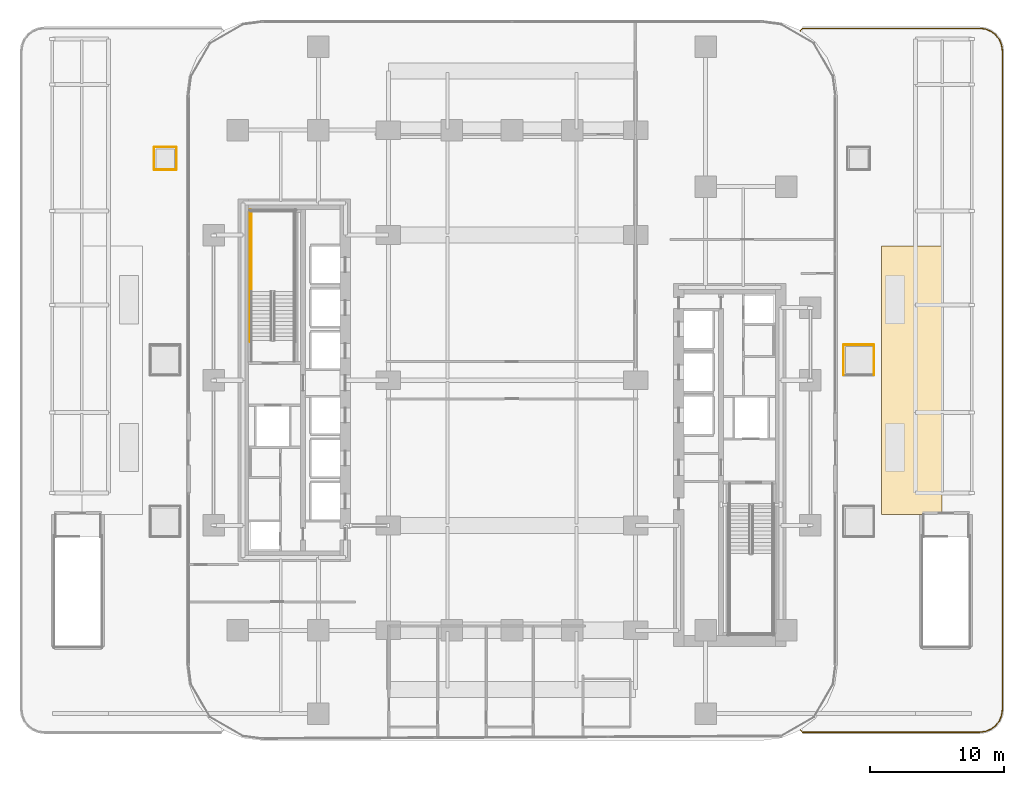
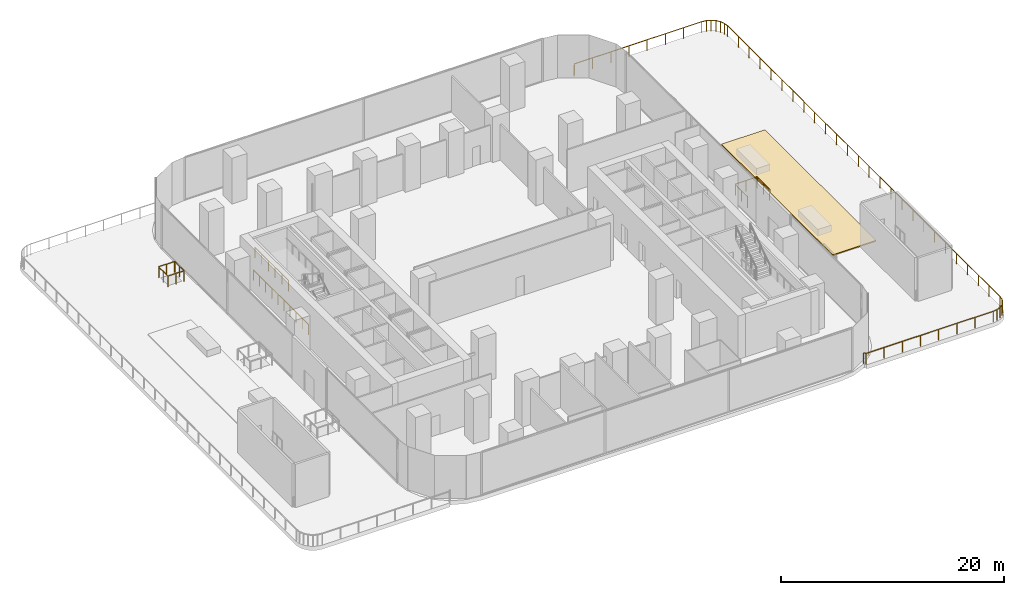
# One storey, part 19 of 21: 10 railings, 1 covering.
"""IFC4 building model written with IfcOpenShell, lengths in metres."""

from ifc_helpers import new_model, si_unit, direction, frame, origin, origin_2d, place, context, subcontext, project, spatial, polyline, circle, outline, extrude, material, layer, layer_set, type_object, element, save


model = new_model("IFC4")

# Units and contexts
model_context = context("Model", 3, precision=1e-05, world=origin(), true_north=direction((0.0, 1.0)))
body_context = subcontext(model_context, "Body", "Model", "MODEL_VIEW")
ifc_project = project(units=[si_unit("LENGTHUNIT", "METRE"), si_unit("AREAUNIT", "SQUARE_METRE"), si_unit("VOLUMEUNIT", "CUBIC_METRE"), si_unit("PLANEANGLEUNIT", "RADIAN"), si_unit("MASSUNIT", "GRAM", prefix="KILO")], contexts=[model_context])

# Site, building, storey
site_placement = place(None, origin())
site = spatial("IfcSite", under=ifc_project, at=site_placement, CompositionType="ELEMENT")
building_placement = place(site_placement, origin())
building = spatial("IfcBuilding", under=site, at=building_placement, Name="Khairoan Windgate Tower", CompositionType="ELEMENT")
storey_placement = place(building_placement, frame((0.0, 0.0, 21.0)))
storey = spatial("IfcBuildingStorey", under=building, at=storey_placement, Name="L05", CompositionType="ELEMENT", Elevation=21.0)

# Railings
ifc_material_1 = material(Name="Anodised Bronze Aluminium 6063-T6", Category="aluminium")
railing_type_1 = type_object("IfcRailingType", Name="Aerodynamic Bronze-and-Glass Balustrade BAL-1200", PredefinedType="BALUSTRADE", material=ifc_material_1)
railing_1_placement = place(storey_placement, frame((21.462890625, -26.00146484375, 0.0)))
element("IfcRailing", 1, at=railing_1_placement, inside=storey, type_object=railing_type_1, Name="East Podium Terrace Perimeter Balustrade", PredefinedType="BALUSTRADE", context=body_context, shape_type="SweptSolid", body=[
    extrude(circle(Radius=0.02392578125, at=origin_2d()), frame((0.0, 0.0, 1.17578125), z_axis=(0.60950109224, -0.792785228519, 0.0), x_axis=(0.792785228519, 0.60950109224, 0.0)), (0.0, 0.0, 1.0), 0.22509765625),
    extrude(circle(Radius=0.02392578125, at=origin_2d()), frame((0.13720703125, -0.178466796875, 1.17578125), z_axis=(1.0, 0.0, 0.0), x_axis=(0.0, 1.0, 0.0)), (0.0, 0.0, 1.0), 13.19189453125),
    extrude(circle(Radius=0.02392578125, at=origin_2d()), frame((13.3291015625, -0.178466796875, 1.17578125), z_axis=(0.991493340479, 0.130157426935, 0.0), x_axis=(-0.130157426935, 0.991493340479, 0.0)), (0.0, 0.0, 1.0), 0.446533203125),
    extrude(circle(Radius=0.02392578125, at=origin_2d()), frame((13.771728515625, -0.120361328125, 1.17578125), z_axis=(0.923833445056, 0.38279467838, 0.0), x_axis=(-0.38279467838, 0.923833445056, 0.0)), (0.0, 0.0, 1.0), 0.438232421875),
    extrude(circle(Radius=0.02392578125, at=origin_2d()), frame((14.176513671875, 0.04736328125, 1.17578125), z_axis=(0.793471909642, 0.608606875256, 0.0), x_axis=(-0.608606875256, 0.793471909642, 0.0)), (0.0, 0.0, 1.0), 0.4384765625),
    extrude(circle(Radius=0.02392578125, at=origin_2d()), frame((14.5244140625, 0.314208984375, 1.17578125), z_axis=(0.6085251306, 0.79353460254, 0.0), x_axis=(-0.79353460254, 0.6085251306, 0.0)), (0.0, 0.0, 1.0), 0.438232421875),
    extrude(circle(Radius=0.02392578125, at=origin_2d()), frame((14.791015625, 0.661865234375, 1.17578125), z_axis=(0.383072962241, 0.92371808773, 0.0), x_axis=(-0.92371808773, 0.383072962241, 0.0)), (0.0, 0.0, 1.0), 0.4384765625),
    extrude(circle(Radius=0.02392578125, at=origin_2d()), frame((14.958984375, 1.06689453125, 1.17578125), z_axis=(0.130228039872, 0.991484068269, 0.0), x_axis=(-0.991484068269, 0.130228039872, 0.0)), (0.0, 0.0, 1.0), 0.4462890625),
    extrude(circle(Radius=0.02392578125, at=origin_2d()), frame((15.01708984375, 1.50927734375, 1.17578125), z_axis=(0.0, 1.0, 0.0), x_axis=(-1.0, 0.0, 0.0)), (0.0, 0.0, 1.0), 48.984375),
    extrude(circle(Radius=0.02392578125, at=origin_2d()), frame((15.01708984375, 50.49365234375, 1.17578125), z_axis=(-0.130228039872, 0.991484068269, 0.0), x_axis=(-0.991484068269, -0.130228039872, 0.0)), (0.0, 0.0, 1.0), 0.4462890625),
    extrude(circle(Radius=0.02392578125, at=origin_2d()), frame((14.958984375, 50.93603515625, 1.17578125), z_axis=(-0.383072962241, 0.92371808773, 0.0), x_axis=(-0.92371808773, -0.383072962241, 0.0)), (0.0, 0.0, 1.0), 0.4384765625),
    extrude(circle(Radius=0.02392578125, at=origin_2d()), frame((14.791015625, 51.341064453125, 1.17578125), z_axis=(-0.6085251306, 0.79353460254, 0.0), x_axis=(-0.79353460254, -0.6085251306, 0.0)), (0.0, 0.0, 1.0), 0.438232421875),
    extrude(circle(Radius=0.02392578125, at=origin_2d()), frame((14.5244140625, 51.688720703125, 1.17578125), z_axis=(-0.793471909642, 0.608606875256, 0.0), x_axis=(-0.608606875256, -0.793471909642, 0.0)), (0.0, 0.0, 1.0), 0.4384765625),
    extrude(circle(Radius=0.02392578125, at=origin_2d()), frame((14.176513671875, 51.95556640625, 1.17578125), z_axis=(-0.923833445056, 0.38279467838, 0.0), x_axis=(-0.38279467838, -0.923833445056, 0.0)), (0.0, 0.0, 1.0), 0.438232421875),
    extrude(circle(Radius=0.02392578125, at=origin_2d()), frame((13.771728515625, 52.123291015625, 1.17578125), z_axis=(-0.991493340479, 0.130157426935, 0.0), x_axis=(-0.130157426935, -0.991493340479, 0.0)), (0.0, 0.0, 1.0), 0.446533203125),
    extrude(circle(Radius=0.02392578125, at=origin_2d()), frame((13.3291015625, 52.181396484375, 1.17578125), z_axis=(-1.0, 0.0, 0.0), x_axis=(0.0, -1.0, 0.0)), (0.0, 0.0, 1.0), 13.19189453125),
    extrude(circle(Radius=0.02392578125, at=origin_2d()), frame((0.13720703125, 52.181396484375, 1.17578125), z_axis=(-0.60950109224, -0.792785228519, 0.0), x_axis=(0.792785228519, -0.60950109224, 0.0)), (0.0, 0.0, 1.0), 0.22509765625),
    extrude(circle(Radius=0.02099609375, at=origin_2d()), origin(), (0.0, 0.0, 1.0), 1.15185546875),
    extrude(circle(Radius=0.02099609375, at=origin_2d()), frame((0.13720703125, -0.178466796875, 0.0)), (0.0, 0.0, 1.0), 1.15185546875),
    extrude(circle(Radius=0.02099609375, at=origin_2d()), frame((2.021728515625, -0.178466796875, 0.0)), (0.0, 0.0, 1.0), 1.15185546875),
    extrude(circle(Radius=0.02099609375, at=origin_2d()), frame((3.90625, -0.178466796875, 0.0)), (0.0, 0.0, 1.0), 1.15185546875),
    extrude(circle(Radius=0.02099609375, at=origin_2d()), frame((5.790771484375, -0.178466796875, 0.0)), (0.0, 0.0, 1.0), 1.15185546875),
    extrude(circle(Radius=0.02099609375, at=origin_2d()), frame((7.675537109375, -0.178466796875, 0.0)), (0.0, 0.0, 1.0), 1.15185546875),
    extrude(circle(Radius=0.02099609375, at=origin_2d()), frame((9.56005859375, -0.178466796875, 0.0)), (0.0, 0.0, 1.0), 1.15185546875),
    extrude(circle(Radius=0.02099609375, at=origin_2d()), frame((11.444580078125, -0.178466796875, 0.0)), (0.0, 0.0, 1.0), 1.15185546875),
    extrude(circle(Radius=0.02099609375, at=origin_2d()), frame((13.3291015625, -0.178466796875, 0.0)), (0.0, 0.0, 1.0), 1.15185546875),
    extrude(circle(Radius=0.02099609375, at=origin_2d()), frame((13.771728515625, -0.120361328125, 0.0)), (0.0, 0.0, 1.0), 1.15185546875),
    extrude(circle(Radius=0.02099609375, at=origin_2d()), frame((14.176513671875, 0.04736328125, 0.0)), (0.0, 0.0, 1.0), 1.15185546875),
    extrude(circle(Radius=0.02099609375, at=origin_2d()), frame((14.5244140625, 0.314208984375, 0.0)), (0.0, 0.0, 1.0), 1.15185546875),
    extrude(circle(Radius=0.02099609375, at=origin_2d()), frame((14.791015625, 0.661865234375, 0.0)), (0.0, 0.0, 1.0), 1.15185546875),
    extrude(circle(Radius=0.02099609375, at=origin_2d()), frame((14.958984375, 1.06689453125, 0.0)), (0.0, 0.0, 1.0), 1.15185546875),
    extrude(circle(Radius=0.02099609375, at=origin_2d()), frame((15.01708984375, 1.50927734375, 0.0)), (0.0, 0.0, 1.0), 1.15185546875),
    extrude(circle(Radius=0.02099609375, at=origin_2d()), frame((15.01708984375, 3.46875, 0.0)), (0.0, 0.0, 1.0), 1.15185546875),
    extrude(circle(Radius=0.02099609375, at=origin_2d()), frame((15.01708984375, 5.427978515625, 0.0)), (0.0, 0.0, 1.0), 1.15185546875),
    extrude(circle(Radius=0.02099609375, at=origin_2d()), frame((15.01708984375, 7.387451171875, 0.0)), (0.0, 0.0, 1.0), 1.15185546875),
    extrude(circle(Radius=0.02099609375, at=origin_2d()), frame((15.01708984375, 9.3466796875, 0.0)), (0.0, 0.0, 1.0), 1.15185546875),
    extrude(circle(Radius=0.02099609375, at=origin_2d()), frame((15.01708984375, 11.30615234375, 0.0)), (0.0, 0.0, 1.0), 1.15185546875),
    extrude(circle(Radius=0.02099609375, at=origin_2d()), frame((15.01708984375, 13.265625, 0.0)), (0.0, 0.0, 1.0), 1.15185546875),
    extrude(circle(Radius=0.02099609375, at=origin_2d()), frame((15.01708984375, 15.224853515625, 0.0)), (0.0, 0.0, 1.0), 1.15185546875),
    extrude(circle(Radius=0.02099609375, at=origin_2d()), frame((15.01708984375, 17.184326171875, 0.0)), (0.0, 0.0, 1.0), 1.15185546875),
    extrude(circle(Radius=0.02099609375, at=origin_2d()), frame((15.01708984375, 19.1435546875, 0.0)), (0.0, 0.0, 1.0), 1.15185546875),
    extrude(circle(Radius=0.02099609375, at=origin_2d()), frame((15.01708984375, 21.10302734375, 0.0)), (0.0, 0.0, 1.0), 1.15185546875),
    extrude(circle(Radius=0.02099609375, at=origin_2d()), frame((15.01708984375, 23.0625, 0.0)), (0.0, 0.0, 1.0), 1.15185546875),
    extrude(circle(Radius=0.02099609375, at=origin_2d()), frame((15.01708984375, 25.021728515625, 0.0)), (0.0, 0.0, 1.0), 1.15185546875),
    extrude(circle(Radius=0.02099609375, at=origin_2d()), frame((15.01708984375, 26.981201171875, 0.0)), (0.0, 0.0, 1.0), 1.15185546875),
    extrude(circle(Radius=0.02099609375, at=origin_2d()), frame((15.01708984375, 28.9404296875, 0.0)), (0.0, 0.0, 1.0), 1.15185546875),
    extrude(circle(Radius=0.02099609375, at=origin_2d()), frame((15.01708984375, 30.89990234375, 0.0)), (0.0, 0.0, 1.0), 1.15185546875),
    extrude(circle(Radius=0.02099609375, at=origin_2d()), frame((15.01708984375, 32.859375, 0.0)), (0.0, 0.0, 1.0), 1.15185546875),
    extrude(circle(Radius=0.02099609375, at=origin_2d()), frame((15.01708984375, 34.818603515625, 0.0)), (0.0, 0.0, 1.0), 1.15185546875),
    extrude(circle(Radius=0.02099609375, at=origin_2d()), frame((15.01708984375, 36.778076171875, 0.0)), (0.0, 0.0, 1.0), 1.15185546875),
    extrude(circle(Radius=0.02099609375, at=origin_2d()), frame((15.01708984375, 38.7373046875, 0.0)), (0.0, 0.0, 1.0), 1.15185546875),
    extrude(circle(Radius=0.02099609375, at=origin_2d()), frame((15.01708984375, 40.69677734375, 0.0)), (0.0, 0.0, 1.0), 1.15185546875),
    extrude(circle(Radius=0.02099609375, at=origin_2d()), frame((15.01708984375, 42.65625, 0.0)), (0.0, 0.0, 1.0), 1.15185546875),
    extrude(circle(Radius=0.02099609375, at=origin_2d()), frame((15.01708984375, 44.615478515625, 0.0)), (0.0, 0.0, 1.0), 1.15185546875),
    extrude(circle(Radius=0.02099609375, at=origin_2d()), frame((15.01708984375, 46.574951171875, 0.0)), (0.0, 0.0, 1.0), 1.15185546875),
    extrude(circle(Radius=0.02099609375, at=origin_2d()), frame((15.01708984375, 48.5341796875, 0.0)), (0.0, 0.0, 1.0), 1.15185546875),
    extrude(circle(Radius=0.02099609375, at=origin_2d()), frame((15.01708984375, 50.49365234375, 0.0)), (0.0, 0.0, 1.0), 1.15185546875),
    extrude(circle(Radius=0.02099609375, at=origin_2d()), frame((14.958984375, 50.93603515625, 0.0)), (0.0, 0.0, 1.0), 1.15185546875),
    extrude(circle(Radius=0.02099609375, at=origin_2d()), frame((14.791015625, 51.341064453125, 0.0)), (0.0, 0.0, 1.0), 1.15185546875),
    extrude(circle(Radius=0.02099609375, at=origin_2d()), frame((14.5244140625, 51.688720703125, 0.0)), (0.0, 0.0, 1.0), 1.15185546875),
    extrude(circle(Radius=0.02099609375, at=origin_2d()), frame((14.176513671875, 51.95556640625, 0.0)), (0.0, 0.0, 1.0), 1.15185546875),
    extrude(circle(Radius=0.02099609375, at=origin_2d()), frame((13.771728515625, 52.123291015625, 0.0)), (0.0, 0.0, 1.0), 1.15185546875),
    extrude(circle(Radius=0.02099609375, at=origin_2d()), frame((13.3291015625, 52.181396484375, 0.0)), (0.0, 0.0, 1.0), 1.15185546875),
    extrude(circle(Radius=0.02099609375, at=origin_2d()), frame((11.444580078125, 52.181396484375, 0.0)), (0.0, 0.0, 1.0), 1.15185546875),
    extrude(circle(Radius=0.02099609375, at=origin_2d()), frame((9.56005859375, 52.181396484375, 0.0)), (0.0, 0.0, 1.0), 1.15185546875),
    extrude(circle(Radius=0.02099609375, at=origin_2d()), frame((7.675537109375, 52.181396484375, 0.0)), (0.0, 0.0, 1.0), 1.15185546875),
    extrude(circle(Radius=0.02099609375, at=origin_2d()), frame((5.790771484375, 52.181396484375, 0.0)), (0.0, 0.0, 1.0), 1.15185546875),
    extrude(circle(Radius=0.02099609375, at=origin_2d()), frame((3.90625, 52.181396484375, 0.0)), (0.0, 0.0, 1.0), 1.15185546875),
    extrude(circle(Radius=0.02099609375, at=origin_2d()), frame((2.021728515625, 52.181396484375, 0.0)), (0.0, 0.0, 1.0), 1.15185546875),
    extrude(circle(Radius=0.02099609375, at=origin_2d()), frame((0.13720703125, 52.181396484375, 0.0)), (0.0, 0.0, 1.0), 1.15185546875),
    extrude(circle(Radius=0.02099609375, at=origin_2d()), frame((0.0, 52.0029296875, 0.0)), (0.0, 0.0, 1.0), 1.15185546875),
])
railing_2_placement = place(storey_placement, frame((-26.610107421875, 15.659912109375, 0.0)))
element("IfcRailing", 2, at=railing_2_placement, inside=storey, type_object=railing_type_1, Name="Podium Skylight 03 Guardrail 1", PredefinedType="BALUSTRADE", context=body_context, shape_type="SweptSolid", body=[
    extrude(circle(Radius=0.02392578125, at=origin_2d()), frame((0.0, 0.0, 1.17578125), z_axis=(1.0, 0.0, 0.0), x_axis=(0.0, 1.0, 0.0)), (0.0, 0.0, 1.0), 1.6201171875),
    extrude(circle(Radius=0.02099609375, at=origin_2d()), origin(), (0.0, 0.0, 1.0), 1.15185546875),
    extrude(circle(Radius=0.02099609375, at=origin_2d()), frame((0.81005859375, 0.0, 0.0)), (0.0, 0.0, 1.0), 1.15185546875),
    extrude(circle(Radius=0.02099609375, at=origin_2d()), frame((1.6201171875, 0.0, 0.0)), (0.0, 0.0, 1.0), 1.15185546875),
])
railing_3_placement = place(storey_placement, frame((-24.9599609375, 15.68994140625, 0.0)))
element("IfcRailing", 3, at=railing_3_placement, inside=storey, type_object=railing_type_1, Name="Podium Skylight 03 Guardrail 2", PredefinedType="BALUSTRADE", context=body_context, shape_type="SweptSolid", body=[
    extrude(circle(Radius=0.02392578125, at=origin_2d()), frame((0.0, 0.0, 1.17578125), z_axis=(0.0, 1.0, 0.0), x_axis=(-1.0, 0.0, 0.0)), (0.0, 0.0, 1.0), 1.6201171875),
    extrude(circle(Radius=0.02099609375, at=origin_2d()), origin(), (0.0, 0.0, 1.0), 1.15185546875),
    extrude(circle(Radius=0.02099609375, at=origin_2d()), frame((0.0, 0.81005859375, 0.0)), (0.0, 0.0, 1.0), 1.15185546875),
    extrude(circle(Radius=0.02099609375, at=origin_2d()), frame((0.0, 1.6201171875, 0.0)), (0.0, 0.0, 1.0), 1.15185546875),
])
railing_4_placement = place(storey_placement, frame((-24.989990234375, 17.340087890625, 0.0)))
element("IfcRailing", 4, at=railing_4_placement, inside=storey, type_object=railing_type_1, Name="Podium Skylight 03 Guardrail 3", PredefinedType="BALUSTRADE", context=body_context, shape_type="SweptSolid", body=[
    extrude(circle(Radius=0.02392578125, at=origin_2d()), frame((0.0, 0.0, 1.17578125), z_axis=(-1.0, 0.0, 0.0), x_axis=(0.0, -1.0, 0.0)), (0.0, 0.0, 1.0), 1.6201171875),
    extrude(circle(Radius=0.02099609375, at=origin_2d()), origin(), (0.0, 0.0, 1.0), 1.15185546875),
    extrude(circle(Radius=0.02099609375, at=origin_2d()), frame((-0.81005859375, 0.0, 0.0)), (0.0, 0.0, 1.0), 1.15185546875),
    extrude(circle(Radius=0.02099609375, at=origin_2d()), frame((-1.6201171875, 0.0, 0.0)), (0.0, 0.0, 1.0), 1.15185546875),
])
railing_5_placement = place(storey_placement, frame((-26.639892578125, 17.31005859375, 0.0)))
element("IfcRailing", 5, at=railing_5_placement, inside=storey, type_object=railing_type_1, Name="Podium Skylight 03 Guardrail 4", PredefinedType="BALUSTRADE", context=body_context, shape_type="SweptSolid", body=[
    extrude(circle(Radius=0.02392578125, at=origin_2d()), frame((0.0, 0.0, 1.17578125), z_axis=(0.0, -1.0, 0.0), x_axis=(1.0, 0.0, 0.0)), (0.0, 0.0, 1.0), 1.6201171875),
    extrude(circle(Radius=0.02099609375, at=origin_2d()), origin(), (0.0, 0.0, 1.0), 1.15185546875),
    extrude(circle(Radius=0.02099609375, at=origin_2d()), frame((0.0, -0.81005859375, 0.0)), (0.0, 0.0, 1.0), 1.15185546875),
    extrude(circle(Radius=0.02099609375, at=origin_2d()), frame((0.0, -1.6201171875, 0.0)), (0.0, 0.0, 1.0), 1.15185546875),
])
railing_6_placement = place(storey_placement, frame((26.93994140625, 0.389892578125, 0.0)))
element("IfcRailing", 6, at=railing_6_placement, inside=storey, type_object=railing_type_1, Name="Podium Skylight 05 Guardrail 2", PredefinedType="BALUSTRADE", context=body_context, shape_type="SweptSolid", body=[
    extrude(circle(Radius=0.02392578125, at=origin_2d()), frame((0.0, 0.0, 1.17578125), z_axis=(0.0, 1.0, 0.0), x_axis=(-1.0, 0.0, 0.0)), (0.0, 0.0, 1.0), 2.22021484375),
    extrude(circle(Radius=0.02099609375, at=origin_2d()), origin(), (0.0, 0.0, 1.0), 1.15185546875),
    extrude(circle(Radius=0.02099609375, at=origin_2d()), frame((0.0, 1.110107421875, 0.0)), (0.0, 0.0, 1.0), 1.15185546875),
    extrude(circle(Radius=0.02099609375, at=origin_2d()), frame((0.0, 2.22021484375, 0.0)), (0.0, 0.0, 1.0), 1.15185546875),
])
railing_7_placement = place(storey_placement, frame((26.909912109375, 2.639892578125, 0.0)))
element("IfcRailing", 7, at=railing_7_placement, inside=storey, type_object=railing_type_1, Name="Podium Skylight 05 Guardrail 3", PredefinedType="BALUSTRADE", context=body_context, shape_type="SweptSolid", body=[
    extrude(circle(Radius=0.02392578125, at=origin_2d()), frame((0.0, 0.0, 1.17578125), z_axis=(-1.0, 0.0, 0.0), x_axis=(0.0, -1.0, 0.0)), (0.0, 0.0, 1.0), 2.219970703125),
    extrude(circle(Radius=0.02099609375, at=origin_2d()), origin(), (0.0, 0.0, 1.0), 1.15185546875),
    extrude(circle(Radius=0.02099609375, at=origin_2d()), frame((-1.10986328125, 0.0, 0.0)), (0.0, 0.0, 1.0), 1.15185546875),
    extrude(circle(Radius=0.02099609375, at=origin_2d()), frame((-2.219970703125, 0.0, 0.0)), (0.0, 0.0, 1.0), 1.15185546875),
])
railing_8_placement = place(storey_placement, frame((24.659912109375, 2.610107421875, 0.0)))
element("IfcRailing", 8, at=railing_8_placement, inside=storey, type_object=railing_type_1, Name="Podium Skylight 05 Guardrail 4", PredefinedType="BALUSTRADE", context=body_context, shape_type="SweptSolid", body=[
    extrude(circle(Radius=0.02392578125, at=origin_2d()), frame((0.0, 0.0, 1.17578125), z_axis=(0.0, -1.0, 0.0), x_axis=(1.0, 0.0, 0.0)), (0.0, 0.0, 1.0), 2.22021484375),
    extrude(circle(Radius=0.02099609375, at=origin_2d()), origin(), (0.0, 0.0, 1.0), 1.15185546875),
    extrude(circle(Radius=0.02099609375, at=origin_2d()), frame((0.0, -1.110107421875, 0.0)), (0.0, 0.0, 1.0), 1.15185546875),
    extrude(circle(Radius=0.02099609375, at=origin_2d()), frame((0.0, -2.22021484375, 0.0)), (0.0, 0.0, 1.0), 1.15185546875),
])

# Covering
ifc_material_2 = material(Name="EPDM Waterproofing Membrane", Category="membrane")
ifc_layer = layer(ifc_material_2, 0.1201171875, Name="EPDM Waterproofing Membrane")
ifc_layer_set = layer_set([ifc_layer], Name="EPDM Waterproofing Membrane")
covering_type = type_object("IfcCoveringType", Name="Insulated EPDM Terrace and Canopy Roofing Membrane", PredefinedType="ROOFING", material=ifc_layer_set)
covering_placement = place(storey_placement, origin())
element("IfcCovering", 9, at=covering_placement, inside=storey, type_object=covering_type, Name="L05 E Podium Terrace Waterproofing Membrane", PredefinedType="ROOFING", context=body_context, shape_type="SweptSolid", body=[
    extrude(outline(polyline([(27.5, -10.0), (32.0, -10.0), (32.0, 10.0), (27.5, 10.0), (27.5, -10.0)])), origin(), (0.0, 0.0, 1.0), 0.1201171875),
])

# Railings
ifc_material_3 = material(Name="Steel S355", Category="steel")
railing_type_2 = type_object("IfcRailingType", Name="Stairwell Safety Guardrail SGR-1150", PredefinedType="GUARDRAIL", material=ifc_material_3)
railing_9_placement = place(storey_placement, frame((-19.3701171875, 6.60009765625, 2.5)))
element("IfcRailing", 10, at=railing_9_placement, inside=storey, type_object=railing_type_2, Name="L05 ST2 stair guard 4", PredefinedType="GUARDRAIL", context=body_context, shape_type="SweptSolid", body=[
    extrude(circle(Radius=0.02392578125, at=origin_2d()), frame((0.0, 0.0, 1.1259765625), z_axis=(0.0, 1.0, 0.0), x_axis=(-1.0, 0.0, 0.0)), (0.0, 0.0, 1.0), 6.0),
    extrude(circle(Radius=0.02099609375, at=origin_2d()), origin(), (0.0, 0.0, 1.0), 1.101806640625),
    extrude(circle(Radius=0.02099609375, at=origin_2d()), frame((0.0, 1.199951171875, 0.0)), (0.0, 0.0, 1.0), 1.101806640625),
    extrude(circle(Radius=0.02099609375, at=origin_2d()), frame((0.0, 2.39990234375, 0.0)), (0.0, 0.0, 1.0), 1.101806640625),
    extrude(circle(Radius=0.02099609375, at=origin_2d()), frame((0.0, 3.60009765625, 0.0)), (0.0, 0.0, 1.0), 1.101806640625),
    extrude(circle(Radius=0.02099609375, at=origin_2d()), frame((0.0, 4.800048828125, 0.0)), (0.0, 0.0, 1.0), 1.101806640625),
    extrude(circle(Radius=0.02099609375, at=origin_2d()), frame((0.0, 6.0, 0.0)), (0.0, 0.0, 1.0), 1.101806640625),
])
railing_10_placement = place(storey_placement, frame((-19.469970703125, 2.860107421875, 0.0)))
element("IfcRailing", 11, at=railing_10_placement, inside=storey, type_object=railing_type_2, Name="L05 ST2 stair guard 11", PredefinedType="GUARDRAIL", context=body_context, shape_type="SweptSolid", body=[
    extrude(circle(Radius=0.02392578125, at=origin_2d()), frame((0.0, 0.0, 1.1259765625), z_axis=(0.0, 1.0, 0.0), x_axis=(-1.0, 0.0, 0.0)), (0.0, 0.0, 1.0), 9.83984375),
    extrude(circle(Radius=0.02099609375, at=origin_2d()), origin(), (0.0, 0.0, 1.0), 1.101806640625),
    extrude(circle(Radius=0.02099609375, at=origin_2d()), frame((0.0, 1.09326171875, 0.0)), (0.0, 0.0, 1.0), 1.101806640625),
    extrude(circle(Radius=0.02099609375, at=origin_2d()), frame((0.0, 2.1865234375, 0.0)), (0.0, 0.0, 1.0), 1.101806640625),
    extrude(circle(Radius=0.02099609375, at=origin_2d()), frame((0.0, 3.280029296875, 0.0)), (0.0, 0.0, 1.0), 1.101806640625),
    extrude(circle(Radius=0.02099609375, at=origin_2d()), frame((0.0, 4.373291015625, 0.0)), (0.0, 0.0, 1.0), 1.101806640625),
    extrude(circle(Radius=0.02099609375, at=origin_2d()), frame((0.0, 5.466552734375, 0.0)), (0.0, 0.0, 1.0), 1.101806640625),
    extrude(circle(Radius=0.02099609375, at=origin_2d()), frame((0.0, 6.559814453125, 0.0)), (0.0, 0.0, 1.0), 1.101806640625),
    extrude(circle(Radius=0.02099609375, at=origin_2d()), frame((0.0, 7.6533203125, 0.0)), (0.0, 0.0, 1.0), 1.101806640625),
    extrude(circle(Radius=0.02099609375, at=origin_2d()), frame((0.0, 8.74658203125, 0.0)), (0.0, 0.0, 1.0), 1.101806640625),
    extrude(circle(Radius=0.02099609375, at=origin_2d()), frame((0.0, 9.83984375, 0.0)), (0.0, 0.0, 1.0), 1.101806640625),
])

save(model, "model.ifc")
